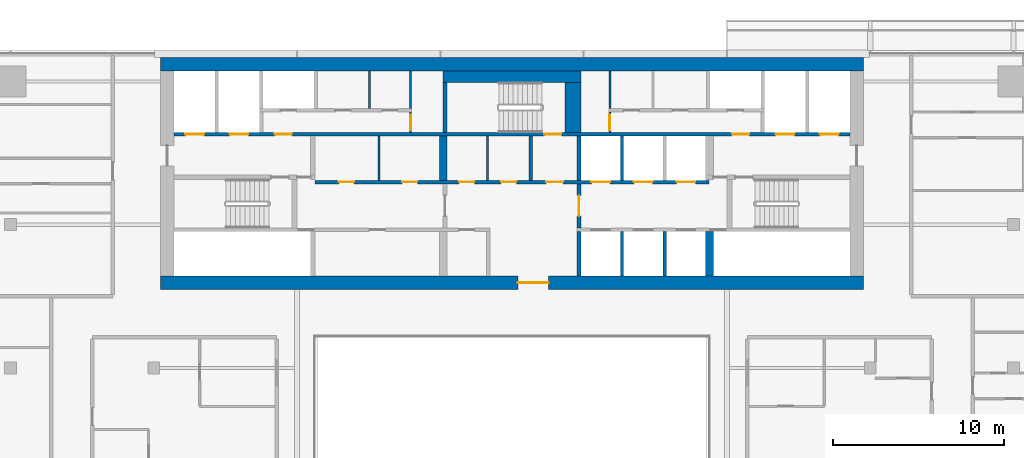
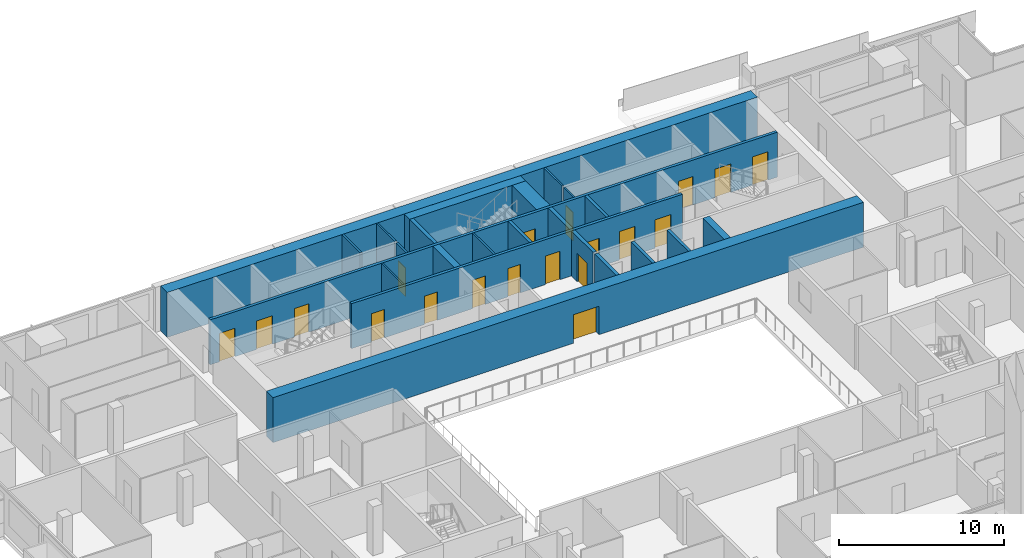
# One storey, part 22 of 31: 23 walls, 19 doors, 19 openings.
"""IFC4 building model written with IfcOpenShell, lengths in metres."""

from ifc_helpers import new_model, si_unit, direction, frame, frame_2d, origin, place, context, subcontext, project, spatial, rectangle, extrude, material, layer, layer_set, type_object, element, fill, save


model = new_model("IFC4")

# Units and contexts
model_context = context("Model", 3, precision=1e-05, world=origin(), true_north=direction((0.0, 1.0)))
body_context = subcontext(model_context, "Body", "Model", "MODEL_VIEW")
ifc_project = project(units=[si_unit("LENGTHUNIT", "METRE"), si_unit("AREAUNIT", "SQUARE_METRE"), si_unit("VOLUMEUNIT", "CUBIC_METRE"), si_unit("PLANEANGLEUNIT", "RADIAN"), si_unit("MASSUNIT", "GRAM", prefix="KILO")], contexts=[model_context])

# Site, building, storey
site_placement = place(None, origin())
site = spatial("IfcSite", under=ifc_project, at=site_placement, CompositionType="ELEMENT")
building_placement = place(site_placement, origin())
building = spatial("IfcBuilding", under=site, at=building_placement, Name="Saffron Gate Tower", CompositionType="ELEMENT")
storey_placement = place(building_placement, frame((0.0, 0.0, 147.449951171875)))
storey = spatial("IfcBuildingStorey", under=building, at=storey_placement, Name="L35", CompositionType="ELEMENT", Elevation=147.449951171875)

# Wall
ifc_material_1 = material(Name="Gypsum board partition on steel studs", Category="steel")
ifc_layer_1 = layer(ifc_material_1, 0.199951171875)
ifc_layer_set_1 = layer_set([ifc_layer_1], Name="CW10 Core partition 200")
wall_type_1 = type_object("IfcWallType", Name="CW10 Core partition 200", PredefinedType="PARTITIONING", material=ifc_layer_set_1)
wall_1_placement = place(storey_placement, frame((88.699951171875, 68.0, 0.0), z_axis=(0.0, 0.0, 1.0), x_axis=(0.0, 1.0, 0.0)))
element("IfcWall", 1, at=wall_1_placement, inside=storey, type_object=wall_type_1, Name="Wall CW10-L35-22", PredefinedType="PARTITIONING", context=body_context, shape_type="SweptSolid", body=[
    extrude(rectangle(XDim=2.60009765625, YDim=0.199951171875, at=frame_2d((1.300048828125, 0.0))), origin(), (0.0, 0.0, 1.0), 3.320068359375),
])

# Wall, opening, door
ifc_material_2 = material(Name="Concrete C60", Category="concrete")
ifc_layer_2 = layer(ifc_material_2, 0.800048828125)
ifc_layer_set_2 = layer_set([ifc_layer_2], Name="CW13 RC core wall 800 C60")
wall_type_2 = type_object("IfcWallType", Name="CW13 RC core wall 800 C60", PredefinedType="SOLIDWALL", material=ifc_layer_set_2)
wall_2_placement = place(storey_placement, frame((67.0, 62.0, 0.0), z_axis=(0.0, 0.0, 1.0), x_axis=(1.0, 0.0, 0.0)))
wall_2 = element("IfcWall", 2, at=wall_2_placement, inside=storey, type_object=wall_type_2, Name="Wall CW13-L35-1", PredefinedType="SOLIDWALL", context=body_context, shape_type="SweptSolid", body=[
    extrude(rectangle(XDim=41.199951171875, YDim=0.800048828125, at=frame_2d((20.60009765625, 0.0))), origin(), (0.0, 0.0, 1.0), 3.320068359375),
])
opening_1_placement = place(wall_2_placement, frame((20.949951171875, 0.0, 0.0)))
opening_1 = element("IfcOpeningElement", 3, at=opening_1_placement, cuts=wall_2, Name="Opening CR-09", PredefinedType="OPENING", context=body_context, shape_type="SweptSolid", body=[
    extrude(rectangle(XDim=1.800048828125, YDim=2.10009765625, at=frame_2d((0.89990234375, 1.050048828125))), frame((0.0, 0.41015625, 0.0), z_axis=(0.0, -1.0, 0.0), x_axis=(1.0, 0.0, 0.0)), (0.0, 0.0, 1.0), 0.820068359375),
])
ifc_material_3 = material(Name="Steel fire door set", Category="steel")
door_type_1 = type_object("IfcDoorType", Name="CD1 Core entrance door 1800x2100 EI 120", OperationType="NOTDEFINED", PredefinedType="DOOR", material=ifc_material_3)
door_1_placement = place(opening_1_placement, origin())
door_1 = element("IfcDoor", 4, at=door_1_placement, inside=storey, type_object=door_type_1, Name="DOOR CR-09", OperationType="DOUBLE_DOOR_SINGLE_SWING", OverallHeight=2.10009765625, OverallWidth=1.800048828125, PredefinedType="DOOR", context=body_context, shape_type="SweptSolid", body=[
    extrude(rectangle(XDim=1.800048828125, YDim=2.10009765625, at=frame_2d((0.89990234375, 1.050048828125))), frame((0.0, 0.02490234375, 0.0), z_axis=(0.0, -1.0, 0.0), x_axis=(1.0, 0.0, 0.0)), (0.0, 0.0, 1.0), 0.050048828125),
])
fill(opening_1, door_1)

# Walls
wall_3_placement = place(storey_placement, frame((67.0, 74.800048828125, 0.0), z_axis=(0.0, 0.0, 1.0), x_axis=(1.0, 0.0, 0.0)))
element("IfcWall", 5, at=wall_3_placement, inside=storey, type_object=wall_type_2, Name="Wall CW13-L35-2", PredefinedType="SOLIDWALL", context=body_context, shape_type="SweptSolid", body=[
    extrude(rectangle(XDim=41.199951171875, YDim=0.800048828125, at=frame_2d((20.60009765625, 0.0))), origin(), (0.0, 0.0, 1.0), 3.320068359375),
])
ifc_layer_3 = layer(ifc_material_2, 0.25)
ifc_layer_set_3 = layer_set([ifc_layer_3], Name="CW14 RC core wall 250 C60")
wall_type_3 = type_object("IfcWallType", Name="CW14 RC core wall 250 C60", PredefinedType="SOLIDWALL", material=ifc_layer_set_3)
wall_4_placement = place(storey_placement, frame((91.52490234375, 62.39990234375, 0.0), z_axis=(0.0, 0.0, 1.0), x_axis=(0.0, 1.0, 0.0)))
element("IfcWall", 6, at=wall_4_placement, inside=storey, type_object=wall_type_3, Name="Wall CW14-L35-8", PredefinedType="SOLIDWALL", context=body_context, shape_type="SweptSolid", body=[
    extrude(rectangle(XDim=2.60009765625, YDim=0.25, at=frame_2d((1.300048828125, 0.0))), origin(), (0.0, 0.0, 1.0), 3.320068359375),
])

# Wall, opening, door
wall_5_placement = place(storey_placement, frame((91.52490234375, 65.199951171875, 0.0), z_axis=(0.0, 0.0, 1.0), x_axis=(0.0, 1.0, 0.0)))
wall_5 = element("IfcWall", 7, at=wall_5_placement, inside=storey, type_object=wall_type_3, Name="Wall CW14-L35-16", PredefinedType="SOLIDWALL", context=body_context, shape_type="SweptSolid", body=[
    extrude(rectangle(XDim=2.60009765625, YDim=0.25, at=frame_2d((1.300048828125, 0.0))), origin(), (0.0, 0.0, 1.0), 3.320068359375),
])
opening_2_placement = place(wall_5_placement, frame((0.699951171875, 0.0, 0.0)))
opening_2 = element("IfcOpeningElement", 8, at=opening_2_placement, cuts=wall_5, Name="Opening CR-01", PredefinedType="OPENING", context=body_context, shape_type="SweptSolid", body=[
    extrude(rectangle(XDim=1.199951171875, YDim=2.10009765625, at=frame_2d((0.60009765625, 1.050048828125))), frame((0.0, 0.135009765625, 0.0), z_axis=(0.0, -1.0, 0.0), x_axis=(1.0, 0.0, 0.0)), (0.0, 0.0, 1.0), 0.27001953125),
])
door_type_2 = type_object("IfcDoorType", Name="CD3 Lobby door 1200x2100 EI 120", OperationType="NOTDEFINED", PredefinedType="DOOR", material=ifc_material_3)
door_2_placement = place(opening_2_placement, origin())
door_2 = element("IfcDoor", 9, at=door_2_placement, inside=storey, type_object=door_type_2, Name="DOOR CR-01", OperationType="SINGLE_SWING_RIGHT", OverallHeight=2.10009765625, OverallWidth=1.199951171875, PredefinedType="DOOR", context=body_context, shape_type="SweptSolid", body=[
    extrude(rectangle(XDim=1.199951171875, YDim=2.10009765625, at=frame_2d((0.60009765625, 1.050048828125))), frame((0.0, 0.02490234375, 0.0), z_axis=(0.0, -1.0, 0.0), x_axis=(1.0, 0.0, 0.0)), (0.0, 0.0, 1.0), 0.050048828125),
])
fill(opening_2, door_2)

# Walls
wall_6_placement = place(storey_placement, frame((91.52490234375, 68.0, 0.0), z_axis=(0.0, 0.0, 1.0), x_axis=(0.0, 1.0, 0.0)))
element("IfcWall", 10, at=wall_6_placement, inside=storey, type_object=wall_type_3, Name="Wall CW14-L35-23", PredefinedType="SOLIDWALL", context=body_context, shape_type="SweptSolid", body=[
    extrude(rectangle(XDim=2.60009765625, YDim=0.25, at=frame_2d((1.300048828125, 0.0))), origin(), (0.0, 0.0, 1.0), 3.320068359375),
])
wall_7_placement = place(storey_placement, frame((83.675048828125, 70.800048828125, 0.0), z_axis=(0.0, 0.0, 1.0), x_axis=(0.0, 1.0, 0.0)))
element("IfcWall", 11, at=wall_7_placement, inside=storey, type_object=wall_type_3, Name="Wall CW14-L35-35", PredefinedType="SOLIDWALL", context=body_context, shape_type="SweptSolid", body=[
    extrude(rectangle(XDim=2.949951171875, YDim=0.25, at=frame_2d((1.47509765625, 0.0))), origin(), (0.0, 0.0, 1.0), 3.320068359375),
])
ifc_layer_4 = layer(ifc_material_2, 0.199951171875)
ifc_layer_set_4 = layer_set([ifc_layer_4], Name="CW15 RC core wall 200 C60")
wall_type_4 = type_object("IfcWallType", Name="CW15 RC core wall 200 C60", PredefinedType="SOLIDWALL", material=ifc_layer_set_4)
for number, where, z_axis, x_axis, name in (
    (12, (94.050048828125, 62.39990234375, 0.0), (0.0, 0.0, 1.0), (0.0, 1.0, 0.0), "Wall CW15-L35-9"),
    (13, (96.550048828125, 62.39990234375, 0.0), (0.0, 0.0, 1.0), (0.0, 1.0, 0.0), "Wall CW15-L35-10"),
):
    element("IfcWall", number, at=place(storey_placement, frame(where, z_axis=z_axis, x_axis=x_axis)), inside=storey, type_object=wall_type_4, Name=name, PredefinedType="SOLIDWALL", context=body_context, shape_type="SweptSolid", body=[
        extrude(rectangle(XDim=2.60009765625, YDim=0.199951171875, at=frame_2d((1.300048828125, 0.0))), origin(), (0.0, 0.0, 1.0), 3.320068359375),
    ])

# Wall, openings, doors
wall_8_placement = place(storey_placement, frame((76.050048828125, 67.89990234375, 0.0), z_axis=(0.0, 0.0, 1.0), x_axis=(1.0, 0.0, 0.0)))
wall_8 = element("IfcWall", 14, at=wall_8_placement, inside=storey, type_object=wall_type_4, Name="Wall CW15-L35-18", PredefinedType="SOLIDWALL", context=body_context, shape_type="SweptSolid", body=[
    extrude(rectangle(XDim=23.099853515625, YDim=0.199951171875, at=frame_2d((11.5498046875, 0.0))), origin(), (0.0, 0.0, 1.0), 3.320068359375),
])
opening_3_placement = place(wall_8_placement, frame((1.39990234375, 0.0, 0.0)))
opening_3 = element("IfcOpeningElement", 15, at=opening_3_placement, cuts=wall_8, Name="Opening CR-61", PredefinedType="OPENING", context=body_context, shape_type="SweptSolid", body=[
    extrude(rectangle(XDim=0.89990234375, YDim=2.10009765625, at=frame_2d((0.449951171875, 1.050048828125))), frame((0.0, 0.10986328125, 0.0), z_axis=(0.0, -1.0, 0.0), x_axis=(1.0, 0.0, 0.0)), (0.0, 0.0, 1.0), 0.219970703125),
])
opening_4_placement = place(wall_8_placement, frame((5.110107421875, 0.0, 0.0)))
opening_4 = element("IfcOpeningElement", 16, at=opening_4_placement, cuts=wall_8, Name="Opening CR-62", PredefinedType="OPENING", context=body_context, shape_type="SweptSolid", body=[
    extrude(rectangle(XDim=0.89990234375, YDim=2.10009765625, at=frame_2d((0.449951171875, 1.050048828125))), frame((0.0, 0.10986328125, 0.0), z_axis=(0.0, -1.0, 0.0), x_axis=(1.0, 0.0, 0.0)), (0.0, 0.0, 1.0), 0.219970703125),
])
opening_5_placement = place(wall_8_placement, frame((8.449951171875, 0.0, 0.0)))
opening_5 = element("IfcOpeningElement", 17, at=opening_5_placement, cuts=wall_8, Name="Opening CR-67", PredefinedType="OPENING", context=body_context, shape_type="SweptSolid", body=[
    extrude(rectangle(XDim=0.89990234375, YDim=2.10009765625, at=frame_2d((0.449951171875, 1.050048828125))), frame((0.0, 0.10986328125, 0.0), z_axis=(0.0, -1.0, 0.0), x_axis=(1.0, 0.0, 0.0)), (0.0, 0.0, 1.0), 0.219970703125),
])
opening_6_placement = place(wall_8_placement, frame((10.909912109375, 0.0, 0.0)))
opening_6 = element("IfcOpeningElement", 18, at=opening_6_placement, cuts=wall_8, Name="Opening CR-68", PredefinedType="OPENING", context=body_context, shape_type="SweptSolid", body=[
    extrude(rectangle(XDim=0.89990234375, YDim=2.10009765625, at=frame_2d((0.449951171875, 1.050048828125))), frame((0.0, 0.10986328125, 0.0), z_axis=(0.0, -1.0, 0.0), x_axis=(1.0, 0.0, 0.0)), (0.0, 0.0, 1.0), 0.219970703125),
])
opening_7_placement = place(wall_8_placement, frame((13.550048828125, 0.0, 0.0)))
opening_7 = element("IfcOpeningElement", 19, at=opening_7_placement, cuts=wall_8, Name="Opening CR-02", PredefinedType="OPENING", context=body_context, shape_type="SweptSolid", body=[
    extrude(rectangle(XDim=1.0, YDim=2.10009765625, at=frame_2d((0.5, 1.050048828125))), frame((0.0, 0.10986328125, 0.0), z_axis=(0.0, -1.0, 0.0), x_axis=(1.0, 0.0, 0.0)), (0.0, 0.0, 1.0), 0.219970703125),
])
opening_8_placement = place(wall_8_placement, frame((16.199951171875, 0.0, 0.0)))
opening_8 = element("IfcOpeningElement", 20, at=opening_8_placement, cuts=wall_8, Name="Opening LD-HR4", PredefinedType="OPENING", context=body_context, shape_type="SweptSolid", body=[
    extrude(rectangle(XDim=1.10009765625, YDim=2.10009765625, at=frame_2d((0.550048828125, 1.050048828125))), frame((0.0, 0.10986328125, 0.0), z_axis=(0.0, -1.0, 0.0), x_axis=(1.0, 0.0, 0.0)), (0.0, 0.0, 1.0), 0.219970703125),
])
opening_9_placement = place(wall_8_placement, frame((18.699951171875, 0.0, 0.0)))
opening_9 = element("IfcOpeningElement", 21, at=opening_9_placement, cuts=wall_8, Name="Opening LD-HR5", PredefinedType="OPENING", context=body_context, shape_type="SweptSolid", body=[
    extrude(rectangle(XDim=1.10009765625, YDim=2.10009765625, at=frame_2d((0.550048828125, 1.050048828125))), frame((0.0, 0.10986328125, 0.0), z_axis=(0.0, -1.0, 0.0), x_axis=(1.0, 0.0, 0.0)), (0.0, 0.0, 1.0), 0.219970703125),
])
opening_10_placement = place(wall_8_placement, frame((21.199951171875, 0.0, 0.0)))
opening_10 = element("IfcOpeningElement", 22, at=opening_10_placement, cuts=wall_8, Name="Opening LD-HR6", PredefinedType="OPENING", context=body_context, shape_type="SweptSolid", body=[
    extrude(rectangle(XDim=1.10009765625, YDim=2.10009765625, at=frame_2d((0.550048828125, 1.050048828125))), frame((0.0, 0.10986328125, 0.0), z_axis=(0.0, -1.0, 0.0), x_axis=(1.0, 0.0, 0.0)), (0.0, 0.0, 1.0), 0.219970703125),
])
door_type_3 = type_object("IfcDoorType", Name="CD4 Lobby door 1000x2100 EI 120", OperationType="NOTDEFINED", PredefinedType="DOOR", material=ifc_material_3)
door_3_placement = place(opening_7_placement, origin())
door_3 = element("IfcDoor", 23, at=door_3_placement, inside=storey, type_object=door_type_3, Name="DOOR CR-02", OperationType="SINGLE_SWING_LEFT", OverallHeight=2.10009765625, OverallWidth=1.0, PredefinedType="DOOR", context=body_context, shape_type="SweptSolid", body=[
    extrude(rectangle(XDim=1.0, YDim=2.10009765625, at=frame_2d((0.5, 1.050048828125))), frame((0.0, 0.02490234375, 0.0), z_axis=(0.0, -1.0, 0.0), x_axis=(1.0, 0.0, 0.0)), (0.0, 0.0, 1.0), 0.050048828125),
])
fill(opening_7, door_3)
door_type_4 = type_object("IfcDoorType", Name="CD9 Room door 900x2100 EI 60", OperationType="NOTDEFINED", PredefinedType="DOOR", material=ifc_material_3)
door_4_placement = place(opening_3_placement, origin())
door_4 = element("IfcDoor", 24, at=door_4_placement, inside=storey, type_object=door_type_4, Name="DOOR CR-61", OperationType="SINGLE_SWING_LEFT", OverallHeight=2.10009765625, OverallWidth=0.89990234375, PredefinedType="DOOR", context=body_context, shape_type="SweptSolid", body=[
    extrude(rectangle(XDim=0.89990234375, YDim=2.10009765625, at=frame_2d((0.449951171875, 1.050048828125))), frame((0.0, 0.02490234375, 0.0), z_axis=(0.0, -1.0, 0.0), x_axis=(1.0, 0.0, 0.0)), (0.0, 0.0, 1.0), 0.050048828125),
])
fill(opening_3, door_4)
door_5_placement = place(opening_4_placement, origin())
door_5 = element("IfcDoor", 25, at=door_5_placement, inside=storey, type_object=door_type_4, Name="DOOR CR-62", OperationType="SINGLE_SWING_LEFT", OverallHeight=2.10009765625, OverallWidth=0.89990234375, PredefinedType="DOOR", context=body_context, shape_type="SweptSolid", body=[
    extrude(rectangle(XDim=0.89990234375, YDim=2.10009765625, at=frame_2d((0.449951171875, 1.050048828125))), frame((0.0, 0.02490234375, 0.0), z_axis=(0.0, -1.0, 0.0), x_axis=(1.0, 0.0, 0.0)), (0.0, 0.0, 1.0), 0.050048828125),
])
fill(opening_4, door_5)
door_6_placement = place(opening_5_placement, origin())
door_6 = element("IfcDoor", 26, at=door_6_placement, inside=storey, type_object=door_type_4, Name="DOOR CR-67", OperationType="SINGLE_SWING_LEFT", OverallHeight=2.10009765625, OverallWidth=0.89990234375, PredefinedType="DOOR", context=body_context, shape_type="SweptSolid", body=[
    extrude(rectangle(XDim=0.89990234375, YDim=2.10009765625, at=frame_2d((0.449951171875, 1.050048828125))), frame((0.0, 0.02490234375, 0.0), z_axis=(0.0, -1.0, 0.0), x_axis=(1.0, 0.0, 0.0)), (0.0, 0.0, 1.0), 0.050048828125),
])
fill(opening_5, door_6)
door_7_placement = place(opening_6_placement, origin())
door_7 = element("IfcDoor", 27, at=door_7_placement, inside=storey, type_object=door_type_4, Name="DOOR CR-68", OperationType="SINGLE_SWING_LEFT", OverallHeight=2.10009765625, OverallWidth=0.89990234375, PredefinedType="DOOR", context=body_context, shape_type="SweptSolid", body=[
    extrude(rectangle(XDim=0.89990234375, YDim=2.10009765625, at=frame_2d((0.449951171875, 1.050048828125))), frame((0.0, 0.02490234375, 0.0), z_axis=(0.0, -1.0, 0.0), x_axis=(1.0, 0.0, 0.0)), (0.0, 0.0, 1.0), 0.050048828125),
])
fill(opening_6, door_7)
ifc_material_4 = material(Name="Stainless steel landing door", Category="steel")
door_type_5 = type_object("IfcDoorType", Name="LD Lift landing door 1100x2100 EI 120", OperationType="SLIDING_TO_LEFT", PredefinedType="DOOR", material=ifc_material_4)
door_8_placement = place(opening_8_placement, origin())
door_8 = element("IfcDoor", 28, at=door_8_placement, inside=storey, type_object=door_type_5, Name="LANDING DOOR LD-HR4", OperationType="SLIDING_TO_RIGHT", OverallHeight=2.10009765625, OverallWidth=1.10009765625, PredefinedType="DOOR", context=body_context, shape_type="SweptSolid", body=[
    extrude(rectangle(XDim=1.10009765625, YDim=2.10009765625, at=frame_2d((0.550048828125, 1.050048828125))), frame((0.0, 0.02490234375, 0.0), z_axis=(0.0, -1.0, 0.0), x_axis=(1.0, 0.0, 0.0)), (0.0, 0.0, 1.0), 0.050048828125),
])
fill(opening_8, door_8)
door_9_placement = place(opening_9_placement, origin())
door_9 = element("IfcDoor", 29, at=door_9_placement, inside=storey, type_object=door_type_5, Name="LANDING DOOR LD-HR5", OperationType="SLIDING_TO_RIGHT", OverallHeight=2.10009765625, OverallWidth=1.10009765625, PredefinedType="DOOR", context=body_context, shape_type="SweptSolid", body=[
    extrude(rectangle(XDim=1.10009765625, YDim=2.10009765625, at=frame_2d((0.550048828125, 1.050048828125))), frame((0.0, 0.02490234375, 0.0), z_axis=(0.0, -1.0, 0.0), x_axis=(1.0, 0.0, 0.0)), (0.0, 0.0, 1.0), 0.050048828125),
])
fill(opening_9, door_9)
door_10_placement = place(opening_10_placement, origin())
door_10 = element("IfcDoor", 30, at=door_10_placement, inside=storey, type_object=door_type_5, Name="LANDING DOOR LD-HR6", OperationType="SLIDING_TO_RIGHT", OverallHeight=2.10009765625, OverallWidth=1.10009765625, PredefinedType="DOOR", context=body_context, shape_type="SweptSolid", body=[
    extrude(rectangle(XDim=1.10009765625, YDim=2.10009765625, at=frame_2d((0.550048828125, 1.050048828125))), frame((0.0, 0.02490234375, 0.0), z_axis=(0.0, -1.0, 0.0), x_axis=(1.0, 0.0, 0.0)), (0.0, 0.0, 1.0), 0.050048828125),
])
fill(opening_10, door_10)

# Wall
wall_9_placement = place(storey_placement, frame((94.050048828125, 68.0, 0.0), z_axis=(0.0, 0.0, 1.0), x_axis=(0.0, 1.0, 0.0)))
element("IfcWall", 31, at=wall_9_placement, inside=storey, type_object=wall_type_4, Name="Wall CW15-L35-24", PredefinedType="SOLIDWALL", context=body_context, shape_type="SweptSolid", body=[
    extrude(rectangle(XDim=2.60009765625, YDim=0.199951171875, at=frame_2d((1.300048828125, 0.0))), origin(), (0.0, 0.0, 1.0), 3.320068359375),
])

# Wall, openings, doors
wall_10_placement = place(storey_placement, frame((67.800048828125, 70.699951171875, 0.0), z_axis=(0.0, 0.0, 1.0), x_axis=(1.0, 0.0, 0.0)))
wall_10 = element("IfcWall", 32, at=wall_10_placement, inside=storey, type_object=wall_type_4, Name="Wall CW15-L35-31", PredefinedType="SOLIDWALL", context=body_context, shape_type="SweptSolid", body=[
    extrude(rectangle(XDim=39.599853515625, YDim=0.199951171875, at=frame_2d((19.7998046875, 0.0))), origin(), (0.0, 0.0, 1.0), 3.320068359375),
])
opening_11_placement = place(wall_10_placement, frame((0.64990234375, 0.0, 0.0)))
opening_11 = element("IfcOpeningElement", 33, at=opening_11_placement, cuts=wall_10, Name="Opening LD-FF1", PredefinedType="OPENING", context=body_context, shape_type="SweptSolid", body=[
    extrude(rectangle(XDim=1.10009765625, YDim=2.10009765625, at=frame_2d((0.550048828125, 1.050048828125))), frame((0.0, 0.10986328125, 0.0), z_axis=(0.0, -1.0, 0.0), x_axis=(1.0, 0.0, 0.0)), (0.0, 0.0, 1.0), 0.219970703125),
])
opening_12_placement = place(wall_10_placement, frame((3.25, 0.0, 0.0)))
opening_12 = element("IfcOpeningElement", 34, at=opening_12_placement, cuts=wall_10, Name="Opening LD-SV1", PredefinedType="OPENING", context=body_context, shape_type="SweptSolid", body=[
    extrude(rectangle(XDim=1.10009765625, YDim=2.10009765625, at=frame_2d((0.550048828125, 1.050048828125))), frame((0.0, 0.10986328125, 0.0), z_axis=(0.0, -1.0, 0.0), x_axis=(1.0, 0.0, 0.0)), (0.0, 0.0, 1.0), 0.219970703125),
])
opening_13_placement = place(wall_10_placement, frame((5.89990234375, 0.0, 0.0)))
opening_13 = element("IfcOpeningElement", 35, at=opening_13_placement, cuts=wall_10, Name="Opening CR-03", PredefinedType="OPENING", context=body_context, shape_type="SweptSolid", body=[
    extrude(rectangle(XDim=1.0, YDim=2.10009765625, at=frame_2d((0.5, 1.050048828125))), frame((0.0, 0.10986328125, 0.0), z_axis=(0.0, -1.0, 0.0), x_axis=(1.0, 0.0, 0.0)), (0.0, 0.0, 1.0), 0.219970703125),
])
opening_14_placement = place(wall_10_placement, frame((21.699951171875, 0.0, 0.0)))
opening_14 = element("IfcOpeningElement", 36, at=opening_14_placement, cuts=wall_10, Name="Opening CR-17", PredefinedType="OPENING", context=body_context, shape_type="SweptSolid", body=[
    extrude(rectangle(XDim=1.0, YDim=2.10009765625, at=frame_2d((0.5, 1.050048828125))), frame((0.0, 0.10986328125, 0.0), z_axis=(0.0, -1.0, 0.0), x_axis=(1.0, 0.0, 0.0)), (0.0, 0.0, 1.0), 0.219970703125),
])
opening_15_placement = place(wall_10_placement, frame((32.699951171875, 0.0, 0.0)))
opening_15 = element("IfcOpeningElement", 37, at=opening_15_placement, cuts=wall_10, Name="Opening CR-04", PredefinedType="OPENING", context=body_context, shape_type="SweptSolid", body=[
    extrude(rectangle(XDim=1.0, YDim=2.10009765625, at=frame_2d((0.5, 1.050048828125))), frame((0.0, 0.10986328125, 0.0), z_axis=(0.0, -1.0, 0.0), x_axis=(1.0, 0.0, 0.0)), (0.0, 0.0, 1.0), 0.219970703125),
])
opening_16_placement = place(wall_10_placement, frame((35.25, 0.0, 0.0)))
opening_16 = element("IfcOpeningElement", 38, at=opening_16_placement, cuts=wall_10, Name="Opening LD-SV2", PredefinedType="OPENING", context=body_context, shape_type="SweptSolid", body=[
    extrude(rectangle(XDim=1.10009765625, YDim=2.10009765625, at=frame_2d((0.550048828125, 1.050048828125))), frame((0.0, 0.10986328125, 0.0), z_axis=(0.0, -1.0, 0.0), x_axis=(1.0, 0.0, 0.0)), (0.0, 0.0, 1.0), 0.219970703125),
])
opening_17_placement = place(wall_10_placement, frame((37.85009765625, 0.0, 0.0)))
opening_17 = element("IfcOpeningElement", 39, at=opening_17_placement, cuts=wall_10, Name="Opening LD-FF2", PredefinedType="OPENING", context=body_context, shape_type="SweptSolid", body=[
    extrude(rectangle(XDim=1.10009765625, YDim=2.10009765625, at=frame_2d((0.550048828125, 1.050048828125))), frame((0.0, 0.10986328125, 0.0), z_axis=(0.0, -1.0, 0.0), x_axis=(1.0, 0.0, 0.0)), (0.0, 0.0, 1.0), 0.219970703125),
])
door_11_placement = place(opening_13_placement, origin())
door_11 = element("IfcDoor", 40, at=door_11_placement, inside=storey, type_object=door_type_3, Name="DOOR CR-03", OperationType="SINGLE_SWING_LEFT", OverallHeight=2.10009765625, OverallWidth=1.0, PredefinedType="DOOR", context=body_context, shape_type="SweptSolid", body=[
    extrude(rectangle(XDim=1.0, YDim=2.10009765625, at=frame_2d((0.5, 1.050048828125))), frame((0.0, 0.02490234375, 0.0), z_axis=(0.0, -1.0, 0.0), x_axis=(1.0, 0.0, 0.0)), (0.0, 0.0, 1.0), 0.050048828125),
])
fill(opening_13, door_11)
door_12_placement = place(opening_15_placement, origin())
door_12 = element("IfcDoor", 41, at=door_12_placement, inside=storey, type_object=door_type_3, Name="DOOR CR-04", OperationType="SINGLE_SWING_RIGHT", OverallHeight=2.10009765625, OverallWidth=1.0, PredefinedType="DOOR", context=body_context, shape_type="SweptSolid", body=[
    extrude(rectangle(XDim=1.0, YDim=2.10009765625, at=frame_2d((0.5, 1.050048828125))), frame((0.0, 0.02490234375, 0.0), z_axis=(0.0, -1.0, 0.0), x_axis=(1.0, 0.0, 0.0)), (0.0, 0.0, 1.0), 0.050048828125),
])
fill(opening_15, door_12)
door_type_6 = type_object("IfcDoorType", Name="CD5 Stair door 1000x2100 EI 120", OperationType="NOTDEFINED", PredefinedType="DOOR", material=ifc_material_3)
door_13_placement = place(opening_14_placement, origin())
door_13 = element("IfcDoor", 42, at=door_13_placement, inside=storey, type_object=door_type_6, Name="DOOR CR-17", OperationType="SINGLE_SWING_RIGHT", OverallHeight=2.10009765625, OverallWidth=1.0, PredefinedType="DOOR", context=body_context, shape_type="SweptSolid", body=[
    extrude(rectangle(XDim=1.0, YDim=2.10009765625, at=frame_2d((0.5, 1.050048828125))), frame((0.0, 0.02490234375, 0.0), z_axis=(0.0, -1.0, 0.0), x_axis=(1.0, 0.0, 0.0)), (0.0, 0.0, 1.0), 0.050048828125),
])
fill(opening_14, door_13)
door_14_placement = place(opening_11_placement, origin())
door_14 = element("IfcDoor", 43, at=door_14_placement, inside=storey, type_object=door_type_5, Name="LANDING DOOR LD-FF1", OperationType="SLIDING_TO_RIGHT", OverallHeight=2.10009765625, OverallWidth=1.10009765625, PredefinedType="DOOR", context=body_context, shape_type="SweptSolid", body=[
    extrude(rectangle(XDim=1.10009765625, YDim=2.10009765625, at=frame_2d((0.550048828125, 1.050048828125))), frame((0.0, 0.02490234375, 0.0), z_axis=(0.0, -1.0, 0.0), x_axis=(1.0, 0.0, 0.0)), (0.0, 0.0, 1.0), 0.050048828125),
])
fill(opening_11, door_14)
door_15_placement = place(opening_12_placement, origin())
door_15 = element("IfcDoor", 44, at=door_15_placement, inside=storey, type_object=door_type_5, Name="LANDING DOOR LD-SV1", OperationType="SLIDING_TO_RIGHT", OverallHeight=2.10009765625, OverallWidth=1.10009765625, PredefinedType="DOOR", context=body_context, shape_type="SweptSolid", body=[
    extrude(rectangle(XDim=1.10009765625, YDim=2.10009765625, at=frame_2d((0.550048828125, 1.050048828125))), frame((0.0, 0.02490234375, 0.0), z_axis=(0.0, -1.0, 0.0), x_axis=(1.0, 0.0, 0.0)), (0.0, 0.0, 1.0), 0.050048828125),
])
fill(opening_12, door_15)
door_16_placement = place(opening_16_placement, origin())
door_16 = element("IfcDoor", 45, at=door_16_placement, inside=storey, type_object=door_type_5, Name="LANDING DOOR LD-SV2", OperationType="SLIDING_TO_RIGHT", OverallHeight=2.10009765625, OverallWidth=1.10009765625, PredefinedType="DOOR", context=body_context, shape_type="SweptSolid", body=[
    extrude(rectangle(XDim=1.10009765625, YDim=2.10009765625, at=frame_2d((0.550048828125, 1.050048828125))), frame((0.0, 0.02490234375, 0.0), z_axis=(0.0, -1.0, 0.0), x_axis=(1.0, 0.0, 0.0)), (0.0, 0.0, 1.0), 0.050048828125),
])
fill(opening_16, door_16)
door_17_placement = place(opening_17_placement, origin())
door_17 = element("IfcDoor", 46, at=door_17_placement, inside=storey, type_object=door_type_5, Name="LANDING DOOR LD-FF2", OperationType="SLIDING_TO_RIGHT", OverallHeight=2.10009765625, OverallWidth=1.10009765625, PredefinedType="DOOR", context=body_context, shape_type="SweptSolid", body=[
    extrude(rectangle(XDim=1.10009765625, YDim=2.10009765625, at=frame_2d((0.550048828125, 1.050048828125))), frame((0.0, 0.02490234375, 0.0), z_axis=(0.0, -1.0, 0.0), x_axis=(1.0, 0.0, 0.0)), (0.0, 0.0, 1.0), 0.050048828125),
])
fill(opening_17, door_17)

# Walls
ifc_layer_5 = layer(ifc_material_2, 0.449951171875)
ifc_layer_set_5 = layer_set([ifc_layer_5], Name="CW16 RC core wall 450 C60")
wall_type_5 = type_object("IfcWallType", Name="CW16 RC core wall 450 C60", PredefinedType="SOLIDWALL", material=ifc_layer_set_5)
for number, where, z_axis, x_axis, name in (
    (47, (99.175048828125, 62.39990234375, 0.0), (0.0, 0.0, 1.0), (0.0, 1.0, 0.0), "Wall CW16-L35-11"),
    (48, (83.574951171875, 68.0, 0.0), (0.0, 0.0, 1.0), (0.0, 1.0, 0.0), "Wall CW16-L35-20"),
):
    element("IfcWall", number, at=place(storey_placement, frame(where, z_axis=z_axis, x_axis=x_axis)), inside=storey, type_object=wall_type_5, Name=name, PredefinedType="SOLIDWALL", context=body_context, shape_type="SweptSolid", body=[
        extrude(rectangle(XDim=2.60009765625, YDim=0.449951171875, at=frame_2d((1.300048828125, 0.0))), origin(), (0.0, 0.0, 1.0), 3.320068359375),
    ])
ifc_layer_6 = layer(ifc_material_2, 0.949951171875)
ifc_layer_set_6 = layer_set([ifc_layer_6], Name="CW19 RC core wall 950 C60")
wall_type_6 = type_object("IfcWallType", Name="CW19 RC core wall 950 C60", PredefinedType="SOLIDWALL", material=ifc_layer_set_6)
wall_11_placement = place(storey_placement, frame((91.175048828125, 70.800048828125, 0.0), z_axis=(0.0, 0.0, 1.0), x_axis=(0.0, 1.0, 0.0)))
element("IfcWall", 49, at=wall_11_placement, inside=storey, type_object=wall_type_6, Name="Wall CW19-L35-36", PredefinedType="SOLIDWALL", context=body_context, shape_type="SweptSolid", body=[
    extrude(rectangle(XDim=2.949951171875, YDim=0.949951171875, at=frame_2d((1.47509765625, 0.0))), origin(), (0.0, 0.0, 1.0), 3.320068359375),
])
ifc_layer_7 = layer(ifc_material_2, 0.64990234375)
ifc_layer_set_7 = layer_set([ifc_layer_7], Name="CW20 RC core wall 650 C60")
wall_type_7 = type_object("IfcWallType", Name="CW20 RC core wall 650 C60", PredefinedType="SOLIDWALL", material=ifc_layer_set_7)
wall_12_placement = place(storey_placement, frame((83.550048828125, 74.074951171875, 0.0), z_axis=(0.0, 0.0, 1.0), x_axis=(1.0, 0.0, 0.0)))
element("IfcWall", 50, at=wall_12_placement, inside=storey, type_object=wall_type_7, Name="Wall CW20-L35-50", PredefinedType="SOLIDWALL", context=body_context, shape_type="SweptSolid", body=[
    extrude(rectangle(XDim=8.099853515625, YDim=0.64990234375, at=frame_2d((4.0498046875, 0.0))), origin(), (0.0, 0.0, 1.0), 3.320068359375),
])
ifc_layer_8 = layer(ifc_material_1, 0.1201171875)
ifc_layer_set_8 = layer_set([ifc_layer_8], Name="CW8 Core partition 120")
wall_type_8 = type_object("IfcWallType", Name="CW8 Core partition 120", PredefinedType="PARTITIONING", material=ifc_layer_set_8)
for number, where, z_axis, x_axis, name in (
    (51, (79.81005859375, 68.0, 0.0), (0.0, 0.0, 1.0), (0.0, 1.0, 0.0), "Wall CW8-L35-19"),
    (52, (86.159912109375, 68.0, 0.0), (0.0, 0.0, 1.0), (0.0, 1.0, 0.0), "Wall CW8-L35-21"),
):
    element("IfcWall", number, at=place(storey_placement, frame(where, z_axis=z_axis, x_axis=x_axis)), inside=storey, type_object=wall_type_8, Name=name, PredefinedType="PARTITIONING", context=body_context, shape_type="SweptSolid", body=[
        extrude(rectangle(XDim=2.60009765625, YDim=0.1201171875, at=frame_2d((1.300048828125, 0.0))), origin(), (0.0, 0.0, 1.0), 3.320068359375),
    ])

# Wall, opening, door
wall_13_placement = place(storey_placement, frame((81.659912109375, 70.800048828125, 0.0), z_axis=(0.0, 0.0, 1.0), x_axis=(0.0, 1.0, 0.0)))
wall_13 = element("IfcWall", 53, at=wall_13_placement, inside=storey, type_object=wall_type_8, Name="Wall CW8-L35-34", PredefinedType="PARTITIONING", context=body_context, shape_type="SweptSolid", body=[
    extrude(rectangle(XDim=1.199951171875, YDim=0.1201171875, at=frame_2d((0.60009765625, 0.0))), origin(), (0.0, 0.0, 1.0), 3.320068359375),
])
opening_18_placement = place(wall_13_placement, frame((0.14990234375, 0.0, 0.0)))
opening_18 = element("IfcOpeningElement", 54, at=opening_18_placement, cuts=wall_13, Name="Opening CR-60", PredefinedType="OPENING", context=body_context, shape_type="SweptSolid", body=[
    extrude(rectangle(XDim=0.89990234375, YDim=2.10009765625, at=frame_2d((0.449951171875, 1.050048828125))), frame((0.0, 0.070068359375, 0.0), z_axis=(0.0, -1.0, 0.0), x_axis=(1.0, 0.0, 0.0)), (0.0, 0.0, 1.0), 0.14013671875),
])
door_18_placement = place(opening_18_placement, origin())
door_18 = element("IfcDoor", 55, at=door_18_placement, inside=storey, type_object=door_type_4, Name="DOOR CR-60", OperationType="SINGLE_SWING_RIGHT", OverallHeight=2.10009765625, OverallWidth=0.89990234375, PredefinedType="DOOR", context=body_context, shape_type="SweptSolid", body=[
    extrude(rectangle(XDim=0.89990234375, YDim=2.10009765625, at=frame_2d((0.449951171875, 1.050048828125))), frame((0.0, 0.02490234375, 0.0), z_axis=(0.0, -1.0, 0.0), x_axis=(1.0, 0.0, 0.0)), (0.0, 0.0, 1.0), 0.050048828125),
])
fill(opening_18, door_18)

wall_14_placement = place(storey_placement, frame((93.340087890625, 70.800048828125, 0.0), z_axis=(0.0, 0.0, 1.0), x_axis=(0.0, 1.0, 0.0)))
wall_14 = element("IfcWall", 56, at=wall_14_placement, inside=storey, type_object=wall_type_8, Name="Wall CW8-L35-37", PredefinedType="PARTITIONING", context=body_context, shape_type="SweptSolid", body=[
    extrude(rectangle(XDim=1.199951171875, YDim=0.1201171875, at=frame_2d((0.60009765625, 0.0))), origin(), (0.0, 0.0, 1.0), 3.320068359375),
])
opening_19_placement = place(wall_14_placement, frame((0.14990234375, 0.0, 0.0)))
opening_19 = element("IfcOpeningElement", 57, at=opening_19_placement, cuts=wall_14, Name="Opening CR-54", PredefinedType="OPENING", context=body_context, shape_type="SweptSolid", body=[
    extrude(rectangle(XDim=0.89990234375, YDim=2.10009765625, at=frame_2d((0.449951171875, 1.050048828125))), frame((0.0, 0.070068359375, 0.0), z_axis=(0.0, -1.0, 0.0), x_axis=(1.0, 0.0, 0.0)), (0.0, 0.0, 1.0), 0.14013671875),
])
door_19_placement = place(opening_19_placement, origin())
door_19 = element("IfcDoor", 58, at=door_19_placement, inside=storey, type_object=door_type_4, Name="DOOR CR-54", OperationType="SINGLE_SWING_LEFT", OverallHeight=2.10009765625, OverallWidth=0.89990234375, PredefinedType="DOOR", context=body_context, shape_type="SweptSolid", body=[
    extrude(rectangle(XDim=0.89990234375, YDim=2.10009765625, at=frame_2d((0.449951171875, 1.050048828125))), frame((0.0, 0.02490234375, 0.0), z_axis=(0.0, -1.0, 0.0), x_axis=(1.0, 0.0, 0.0)), (0.0, 0.0, 1.0), 0.050048828125),
])
fill(opening_19, door_19)

# Walls
for number, where, z_axis, x_axis, name in (
    (59, (79.260009765625, 72.199951171875, 0.0), (0.0, 0.0, 1.0), (0.0, 1.0, 0.0), "Wall CW8-L35-44"),
    (60, (81.659912109375, 72.199951171875, 0.0), (0.0, 0.0, 1.0), (0.0, 1.0, 0.0), "Wall CW8-L35-45"),
    (61, (93.340087890625, 72.199951171875, 0.0), (0.0, 0.0, 1.0), (0.0, 1.0, 0.0), "Wall CW8-L35-46"),
):
    element("IfcWall", number, at=place(storey_placement, frame(where, z_axis=z_axis, x_axis=x_axis)), inside=storey, type_object=wall_type_8, Name=name, PredefinedType="PARTITIONING", context=body_context, shape_type="SweptSolid", body=[
        extrude(rectangle(XDim=2.199951171875, YDim=0.1201171875, at=frame_2d((1.10009765625, 0.0))), origin(), (0.0, 0.0, 1.0), 3.320068359375),
    ])

save(model, "model.ifc")
